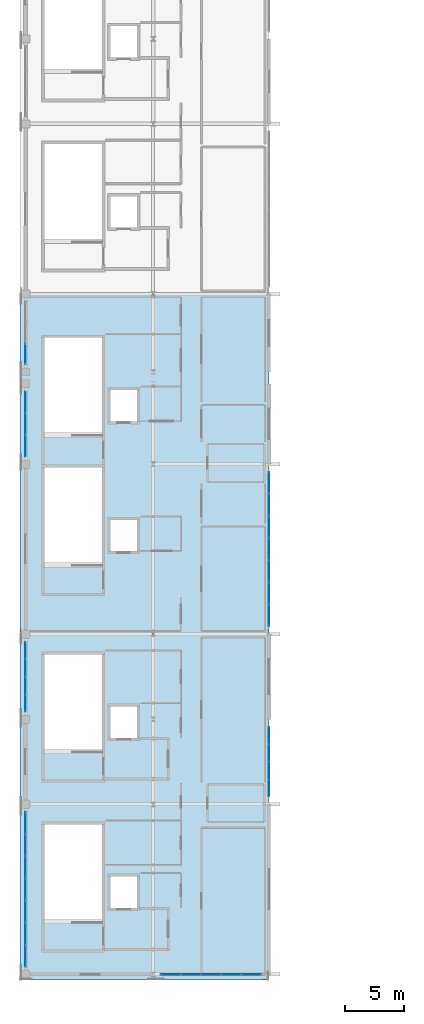
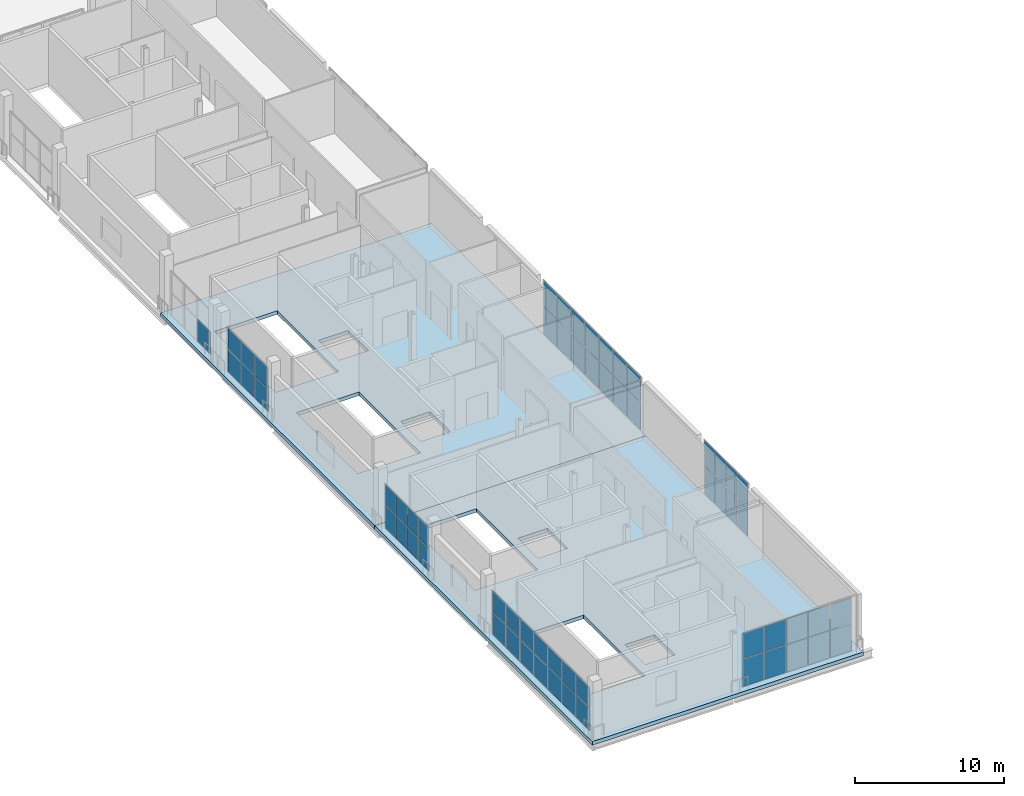
# One storey, part 9 of 19: 61 plates, 2 slabs, 7 elements without a shape of their own.
"""IFC4 building model written with IfcOpenShell, lengths in metres."""

from ifc_helpers import new_model, si_unit, direction, frame, origin, origin_2d, place, context, subcontext, project, spatial, polyline, rectangle, outline, extrude, material, layer, layer_set, type_object, element, aggregate, save


model = new_model("IFC4")

# Units and contexts
model_context = context("Model", 3, precision=1e-05, world=origin(), true_north=direction((0.0, 1.0)))
body_context = subcontext(model_context, "Body", "Model", "MODEL_VIEW")
ifc_project = project(units=[si_unit("LENGTHUNIT", "METRE"), si_unit("AREAUNIT", "SQUARE_METRE"), si_unit("VOLUMEUNIT", "CUBIC_METRE"), si_unit("PLANEANGLEUNIT", "RADIAN"), si_unit("MASSUNIT", "GRAM", prefix="KILO")], contexts=[model_context])

# Site, building, storey
site_placement = place(None, origin())
site = spatial("IfcSite", under=ifc_project, at=site_placement, CompositionType="ELEMENT")
building_placement = place(site_placement, origin())
building = spatial("IfcBuilding", under=site, at=building_placement, Name="Koshinbarg Plaza Stadium", CompositionType="ELEMENT")
storey_placement = place(building_placement, frame((0.0, 0.0, 29.39990234375)))
storey = spatial("IfcBuildingStorey", under=building, at=storey_placement, Name="L06", CompositionType="ELEMENT", Elevation=29.39990234375)

# Curtain wall, plates
ifc_material_1 = material(Name="Thermally broken anodised aluminium and low-E double glazing", Category="aluminium")
curtain_wall_type_1 = type_object("IfcCurtainWallType", Name="CW-SYS-09", PredefinedType="NOTDEFINED", material=ifc_material_1)
curtain_wall_1_placement = place(storey_placement, origin())
curtain_wall_1 = element("IfcCurtainWall", 1, at=curtain_wall_1_placement, inside=storey, type_object=curtain_wall_type_1, Name="L06 unitised curtain wall CW-L06-152", PredefinedType="NOTDEFINED")
ifc_material_2 = material(Name="Solar-control low-E double glazing unit", Category="glass")
ifc_layer_1 = layer(ifc_material_2, 0.028076171875)
ifc_layer_set_1 = layer_set([ifc_layer_1], Name="Solar-control low-E double glazing unit")
plate_type_1 = type_object("IfcPlateType", Name="CW-PNL-28", PredefinedType="CURTAIN_PANEL", material=ifc_layer_set_1)
plate_1_placement = place(storey_placement, frame((24.60009765625, 48.47998046875, 0.06005859375), z_axis=(0.0, 0.0, 1.0), x_axis=(0.0, 1.0, 0.0)))
plate_1 = element("IfcPlate", 2, at=plate_1_placement, type_object=plate_type_1, Name="CW09 panel 1.1", PredefinedType="CURTAIN_PANEL", context=body_context, shape_type="SweptSolid", body=[
    extrude(rectangle(XDim=1.39990234375, YDim=0.028076171875, at=origin_2d()), origin(), (0.0, 0.0, 1.0), 1.823486328125),
])
plate_2_placement = place(storey_placement, frame((24.60009765625, 48.47998046875, 1.94384765625), z_axis=(0.0, 0.0, 1.0), x_axis=(0.0, 1.0, 0.0)))
plate_2 = element("IfcPlate", 3, at=plate_2_placement, type_object=plate_type_1, Name="CW09 panel 1.2", PredefinedType="CURTAIN_PANEL", context=body_context, shape_type="SweptSolid", body=[
    extrude(rectangle(XDim=1.39990234375, YDim=0.028076171875, at=origin_2d()), origin(), (0.0, 0.0, 1.0), 1.676513671875),
])
plate_3_placement = place(storey_placement, frame((24.60009765625, 49.955078125, 0.06005859375), z_axis=(0.0, 0.0, 1.0), x_axis=(0.0, 1.0, 0.0)))
plate_3 = element("IfcPlate", 4, at=plate_3_placement, type_object=plate_type_1, Name="CW09 panel 2.1", PredefinedType="CURTAIN_PANEL", context=body_context, shape_type="SweptSolid", body=[
    extrude(rectangle(XDim=1.429931640625, YDim=0.028076171875, at=origin_2d()), origin(), (0.0, 0.0, 1.0), 1.823486328125),
])
plate_4_placement = place(storey_placement, frame((24.60009765625, 49.955078125, 1.94384765625), z_axis=(0.0, 0.0, 1.0), x_axis=(0.0, 1.0, 0.0)))
plate_4 = element("IfcPlate", 5, at=plate_4_placement, type_object=plate_type_1, Name="CW09 panel 2.2", PredefinedType="CURTAIN_PANEL", context=body_context, shape_type="SweptSolid", body=[
    extrude(rectangle(XDim=1.429931640625, YDim=0.028076171875, at=origin_2d()), origin(), (0.0, 0.0, 1.0), 1.676513671875),
])
plate_5_placement = place(storey_placement, frame((24.60009765625, 51.445068359375, 0.06005859375), z_axis=(0.0, 0.0, 1.0), x_axis=(0.0, 1.0, 0.0)))
plate_5 = element("IfcPlate", 6, at=plate_5_placement, type_object=plate_type_1, Name="CW09 panel 3.1", PredefinedType="CURTAIN_PANEL", context=body_context, shape_type="SweptSolid", body=[
    extrude(rectangle(XDim=1.429931640625, YDim=0.028076171875, at=origin_2d()), origin(), (0.0, 0.0, 1.0), 1.823486328125),
])
plate_6_placement = place(storey_placement, frame((24.60009765625, 51.445068359375, 1.94384765625), z_axis=(0.0, 0.0, 1.0), x_axis=(0.0, 1.0, 0.0)))
plate_6 = element("IfcPlate", 7, at=plate_6_placement, type_object=plate_type_1, Name="CW09 panel 3.2", PredefinedType="CURTAIN_PANEL", context=body_context, shape_type="SweptSolid", body=[
    extrude(rectangle(XDim=1.429931640625, YDim=0.028076171875, at=origin_2d()), origin(), (0.0, 0.0, 1.0), 1.676513671875),
])
plate_7_placement = place(storey_placement, frame((24.60009765625, 52.919921875, 0.06005859375), z_axis=(0.0, 0.0, 1.0), x_axis=(0.0, 1.0, 0.0)))
plate_7 = element("IfcPlate", 8, at=plate_7_placement, type_object=plate_type_1, Name="CW09 panel 4.1", PredefinedType="CURTAIN_PANEL", context=body_context, shape_type="SweptSolid", body=[
    extrude(rectangle(XDim=1.39990234375, YDim=0.028076171875, at=origin_2d()), origin(), (0.0, 0.0, 1.0), 1.823486328125),
])
plate_8_placement = place(storey_placement, frame((24.60009765625, 52.919921875, 1.94384765625), z_axis=(0.0, 0.0, 1.0), x_axis=(0.0, 1.0, 0.0)))
plate_8 = element("IfcPlate", 9, at=plate_8_placement, type_object=plate_type_1, Name="CW09 panel 4.2", PredefinedType="CURTAIN_PANEL", context=body_context, shape_type="SweptSolid", body=[
    extrude(rectangle(XDim=1.39990234375, YDim=0.028076171875, at=origin_2d()), origin(), (0.0, 0.0, 1.0), 1.676513671875),
])
aggregate(curtain_wall_1, [plate_1, plate_2, plate_3, plate_4, plate_5, plate_6, plate_7, plate_8])

# Curtain wall, plate
curtain_wall_type_2 = type_object("IfcCurtainWallType", Name="CW-SYS-11", PredefinedType="NOTDEFINED", material=ifc_material_1)
curtain_wall_2_placement = place(storey_placement, origin())
curtain_wall_2 = element("IfcCurtainWall", 10, at=curtain_wall_2_placement, inside=storey, type_object=curtain_wall_type_2, Name="L06 unitised curtain wall CW-L06-154", PredefinedType="NOTDEFINED")
plate_9_placement = place(storey_placement, frame((24.60009765625, 78.0283203125, 0.06005859375), z_axis=(0.0, 0.0, 1.0), x_axis=(0.0, 1.0, 0.0)))
plate_9 = element("IfcPlate", 11, at=plate_9_placement, type_object=plate_type_1, Name="CW11 panel 1.1", PredefinedType="CURTAIN_PANEL", context=body_context, shape_type="SweptSolid", body=[
    extrude(rectangle(XDim=1.69677734375, YDim=0.028076171875, at=origin_2d()), origin(), (0.0, 0.0, 1.0), 1.823486328125),
])
aggregate(curtain_wall_2, [plate_9])

# Curtain wall, plates
curtain_wall_type_3 = type_object("IfcCurtainWallType", Name="CW-SYS-01", PredefinedType="NOTDEFINED", material=ifc_material_1)
curtain_wall_3_placement = place(storey_placement, origin())
curtain_wall_3 = element("IfcCurtainWall", 12, at=curtain_wall_3_placement, inside=storey, type_object=curtain_wall_type_3, Name="L06 unitised curtain wall CW-L06-160", PredefinedType="NOTDEFINED")
plate_10_placement = place(storey_placement, frame((45.199951171875, 45.719970703125, 0.06005859375), z_axis=(0.0, 0.0, 1.0), x_axis=(0.0, -1.0, 0.0)))
plate_10 = element("IfcPlate", 13, at=plate_10_placement, type_object=plate_type_1, Name="CW01 panel 1.1", PredefinedType="CURTAIN_PANEL", context=body_context, shape_type="SweptSolid", body=[
    extrude(rectangle(XDim=1.39990234375, YDim=0.028076171875, at=origin_2d()), origin(), (0.0, 0.0, 1.0), 2.239501953125),
])
plate_11_placement = place(storey_placement, frame((45.199951171875, 45.719970703125, 2.35986328125), z_axis=(0.0, 0.0, 1.0), x_axis=(0.0, -1.0, 0.0)))
plate_11 = element("IfcPlate", 14, at=plate_11_placement, type_object=plate_type_1, Name="CW01 panel 1.2", PredefinedType="CURTAIN_PANEL", context=body_context, shape_type="SweptSolid", body=[
    extrude(rectangle(XDim=1.39990234375, YDim=0.028076171875, at=origin_2d()), origin(), (0.0, 0.0, 1.0), 2.060302734375),
])
plate_12_placement = place(storey_placement, frame((45.199951171875, 44.2451171875, 0.06005859375), z_axis=(0.0, 0.0, 1.0), x_axis=(0.0, -1.0, 0.0)))
plate_12 = element("IfcPlate", 15, at=plate_12_placement, type_object=plate_type_1, Name="CW01 panel 2.1", PredefinedType="CURTAIN_PANEL", context=body_context, shape_type="SweptSolid", body=[
    extrude(rectangle(XDim=1.429931640625, YDim=0.028076171875, at=origin_2d()), origin(), (0.0, 0.0, 1.0), 2.239501953125),
])
plate_13_placement = place(storey_placement, frame((45.199951171875, 44.2451171875, 2.35986328125), z_axis=(0.0, 0.0, 1.0), x_axis=(0.0, -1.0, 0.0)))
plate_13 = element("IfcPlate", 16, at=plate_13_placement, type_object=plate_type_1, Name="CW01 panel 2.2", PredefinedType="CURTAIN_PANEL", context=body_context, shape_type="SweptSolid", body=[
    extrude(rectangle(XDim=1.429931640625, YDim=0.028076171875, at=origin_2d()), origin(), (0.0, 0.0, 1.0), 2.060302734375),
])
plate_14_placement = place(storey_placement, frame((45.199951171875, 42.7548828125, 0.06005859375), z_axis=(0.0, 0.0, 1.0), x_axis=(0.0, -1.0, 0.0)))
plate_14 = element("IfcPlate", 17, at=plate_14_placement, type_object=plate_type_1, Name="CW01 panel 3.1", PredefinedType="CURTAIN_PANEL", context=body_context, shape_type="SweptSolid", body=[
    extrude(rectangle(XDim=1.429931640625, YDim=0.028076171875, at=origin_2d()), origin(), (0.0, 0.0, 1.0), 2.239501953125),
])
plate_15_placement = place(storey_placement, frame((45.199951171875, 42.7548828125, 2.35986328125), z_axis=(0.0, 0.0, 1.0), x_axis=(0.0, -1.0, 0.0)))
plate_15 = element("IfcPlate", 18, at=plate_15_placement, type_object=plate_type_1, Name="CW01 panel 3.2", PredefinedType="CURTAIN_PANEL", context=body_context, shape_type="SweptSolid", body=[
    extrude(rectangle(XDim=1.429931640625, YDim=0.028076171875, at=origin_2d()), origin(), (0.0, 0.0, 1.0), 2.060302734375),
])
plate_16_placement = place(storey_placement, frame((45.199951171875, 41.280029296875, 0.06005859375), z_axis=(0.0, 0.0, 1.0), x_axis=(0.0, -1.0, 0.0)))
plate_16 = element("IfcPlate", 19, at=plate_16_placement, type_object=plate_type_1, Name="CW01 panel 4.1", PredefinedType="CURTAIN_PANEL", context=body_context, shape_type="SweptSolid", body=[
    extrude(rectangle(XDim=1.39990234375, YDim=0.028076171875, at=origin_2d()), origin(), (0.0, 0.0, 1.0), 2.239501953125),
])
plate_17_placement = place(storey_placement, frame((45.199951171875, 41.280029296875, 2.35986328125), z_axis=(0.0, 0.0, 1.0), x_axis=(0.0, -1.0, 0.0)))
plate_17 = element("IfcPlate", 20, at=plate_17_placement, type_object=plate_type_1, Name="CW01 panel 4.2", PredefinedType="CURTAIN_PANEL", context=body_context, shape_type="SweptSolid", body=[
    extrude(rectangle(XDim=1.39990234375, YDim=0.028076171875, at=origin_2d()), origin(), (0.0, 0.0, 1.0), 2.060302734375),
])
aggregate(curtain_wall_3, [plate_10, plate_11, plate_12, plate_13, plate_14, plate_15, plate_16, plate_17])

curtain_wall_type_4 = type_object("IfcCurtainWallType", Name="CW-SYS-08", PredefinedType="NOTDEFINED", material=ifc_material_1)
curtain_wall_4_placement = place(storey_placement, origin())
curtain_wall_4 = element("IfcCurtainWall", 21, at=curtain_wall_4_placement, inside=storey, type_object=curtain_wall_type_4, Name="L06 unitised curtain wall CW-L06-151", PredefinedType="NOTDEFINED")
ifc_material_3 = material(Name="Acoustic solar-control double glazing unit", Category="glass")
ifc_layer_2 = layer(ifc_material_3, 0.031982421875)
ifc_layer_set_2 = layer_set([ifc_layer_2], Name="Acoustic solar-control double glazing unit")
plate_type_2 = type_object("IfcPlateType", Name="CW-PNL-32", PredefinedType="CURTAIN_PANEL", material=ifc_layer_set_2)
plate_18_placement = place(storey_placement, frame((24.60009765625, 27.074951171875, 0.06005859375), z_axis=(0.0, 0.0, 1.0), x_axis=(0.0, 1.0, 0.0)))
plate_18 = element("IfcPlate", 22, at=plate_18_placement, type_object=plate_type_2, Name="CW08 panel 1.1", PredefinedType="CURTAIN_PANEL", context=body_context, shape_type="SweptSolid", body=[
    extrude(rectangle(XDim=1.7900390625, YDim=0.031982421875, at=origin_2d()), origin(), (0.0, 0.0, 1.0), 1.823486328125),
])
plate_19_placement = place(storey_placement, frame((24.60009765625, 27.074951171875, 1.94384765625), z_axis=(0.0, 0.0, 1.0), x_axis=(0.0, 1.0, 0.0)))
plate_19 = element("IfcPlate", 23, at=plate_19_placement, type_object=plate_type_2, Name="CW08 panel 1.2", PredefinedType="CURTAIN_PANEL", context=body_context, shape_type="SweptSolid", body=[
    extrude(rectangle(XDim=1.7900390625, YDim=0.031982421875, at=origin_2d()), origin(), (0.0, 0.0, 1.0), 1.676513671875),
])
plate_20_placement = place(storey_placement, frame((24.60009765625, 28.93994140625, 0.06005859375), z_axis=(0.0, 0.0, 1.0), x_axis=(0.0, 1.0, 0.0)))
plate_20 = element("IfcPlate", 24, at=plate_20_placement, type_object=plate_type_2, Name="CW08 panel 2.1", PredefinedType="CURTAIN_PANEL", context=body_context, shape_type="SweptSolid", body=[
    extrude(rectangle(XDim=1.820068359375, YDim=0.031982421875, at=origin_2d()), origin(), (0.0, 0.0, 1.0), 1.823486328125),
])
plate_21_placement = place(storey_placement, frame((24.60009765625, 28.93994140625, 1.94384765625), z_axis=(0.0, 0.0, 1.0), x_axis=(0.0, 1.0, 0.0)))
plate_21 = element("IfcPlate", 25, at=plate_21_placement, type_object=plate_type_2, Name="CW08 panel 2.2", PredefinedType="CURTAIN_PANEL", context=body_context, shape_type="SweptSolid", body=[
    extrude(rectangle(XDim=1.820068359375, YDim=0.031982421875, at=origin_2d()), origin(), (0.0, 0.0, 1.0), 1.676513671875),
])
plate_22_placement = place(storey_placement, frame((24.60009765625, 30.820068359375, 0.06005859375), z_axis=(0.0, 0.0, 1.0), x_axis=(0.0, 1.0, 0.0)))
plate_22 = element("IfcPlate", 26, at=plate_22_placement, type_object=plate_type_2, Name="CW08 panel 3.1", PredefinedType="CURTAIN_PANEL", context=body_context, shape_type="SweptSolid", body=[
    extrude(rectangle(XDim=1.820068359375, YDim=0.031982421875, at=origin_2d()), origin(), (0.0, 0.0, 1.0), 1.823486328125),
])
plate_23_placement = place(storey_placement, frame((24.60009765625, 30.820068359375, 1.94384765625), z_axis=(0.0, 0.0, 1.0), x_axis=(0.0, 1.0, 0.0)))
plate_23 = element("IfcPlate", 27, at=plate_23_placement, type_object=plate_type_2, Name="CW08 panel 3.2", PredefinedType="CURTAIN_PANEL", context=body_context, shape_type="SweptSolid", body=[
    extrude(rectangle(XDim=1.820068359375, YDim=0.031982421875, at=origin_2d()), origin(), (0.0, 0.0, 1.0), 1.676513671875),
])
plate_24_placement = place(storey_placement, frame((24.60009765625, 32.699951171875, 0.06005859375), z_axis=(0.0, 0.0, 1.0), x_axis=(0.0, 1.0, 0.0)))
plate_24 = element("IfcPlate", 28, at=plate_24_placement, type_object=plate_type_2, Name="CW08 panel 4.1", PredefinedType="CURTAIN_PANEL", context=body_context, shape_type="SweptSolid", body=[
    extrude(rectangle(XDim=1.820068359375, YDim=0.031982421875, at=origin_2d()), origin(), (0.0, 0.0, 1.0), 1.823486328125),
])
plate_25_placement = place(storey_placement, frame((24.60009765625, 32.699951171875, 1.94384765625), z_axis=(0.0, 0.0, 1.0), x_axis=(0.0, 1.0, 0.0)))
plate_25 = element("IfcPlate", 29, at=plate_25_placement, type_object=plate_type_2, Name="CW08 panel 4.2", PredefinedType="CURTAIN_PANEL", context=body_context, shape_type="SweptSolid", body=[
    extrude(rectangle(XDim=1.820068359375, YDim=0.031982421875, at=origin_2d()), origin(), (0.0, 0.0, 1.0), 1.676513671875),
])
plate_26_placement = place(storey_placement, frame((24.60009765625, 34.580078125, 0.06005859375), z_axis=(0.0, 0.0, 1.0), x_axis=(0.0, 1.0, 0.0)))
plate_26 = element("IfcPlate", 30, at=plate_26_placement, type_object=plate_type_2, Name="CW08 panel 5.1", PredefinedType="CURTAIN_PANEL", context=body_context, shape_type="SweptSolid", body=[
    extrude(rectangle(XDim=1.820068359375, YDim=0.031982421875, at=origin_2d()), origin(), (0.0, 0.0, 1.0), 1.823486328125),
])
plate_27_placement = place(storey_placement, frame((24.60009765625, 34.580078125, 1.94384765625), z_axis=(0.0, 0.0, 1.0), x_axis=(0.0, 1.0, 0.0)))
plate_27 = element("IfcPlate", 31, at=plate_27_placement, type_object=plate_type_2, Name="CW08 panel 5.2", PredefinedType="CURTAIN_PANEL", context=body_context, shape_type="SweptSolid", body=[
    extrude(rectangle(XDim=1.820068359375, YDim=0.031982421875, at=origin_2d()), origin(), (0.0, 0.0, 1.0), 1.676513671875),
])
plate_28_placement = place(storey_placement, frame((24.60009765625, 36.4599609375, 0.06005859375), z_axis=(0.0, 0.0, 1.0), x_axis=(0.0, 1.0, 0.0)))
plate_28 = element("IfcPlate", 32, at=plate_28_placement, type_object=plate_type_2, Name="CW08 panel 6.1", PredefinedType="CURTAIN_PANEL", context=body_context, shape_type="SweptSolid", body=[
    extrude(rectangle(XDim=1.820068359375, YDim=0.031982421875, at=origin_2d()), origin(), (0.0, 0.0, 1.0), 1.823486328125),
])
plate_29_placement = place(storey_placement, frame((24.60009765625, 36.4599609375, 1.94384765625), z_axis=(0.0, 0.0, 1.0), x_axis=(0.0, 1.0, 0.0)))
plate_29 = element("IfcPlate", 33, at=plate_29_placement, type_object=plate_type_2, Name="CW08 panel 6.2", PredefinedType="CURTAIN_PANEL", context=body_context, shape_type="SweptSolid", body=[
    extrude(rectangle(XDim=1.820068359375, YDim=0.031982421875, at=origin_2d()), origin(), (0.0, 0.0, 1.0), 1.676513671875),
])
plate_30_placement = place(storey_placement, frame((24.60009765625, 38.324951171875, 0.06005859375), z_axis=(0.0, 0.0, 1.0), x_axis=(0.0, 1.0, 0.0)))
plate_30 = element("IfcPlate", 34, at=plate_30_placement, type_object=plate_type_2, Name="CW08 panel 7.1", PredefinedType="CURTAIN_PANEL", context=body_context, shape_type="SweptSolid", body=[
    extrude(rectangle(XDim=1.7900390625, YDim=0.031982421875, at=origin_2d()), origin(), (0.0, 0.0, 1.0), 1.823486328125),
])
plate_31_placement = place(storey_placement, frame((24.60009765625, 38.324951171875, 1.94384765625), z_axis=(0.0, 0.0, 1.0), x_axis=(0.0, 1.0, 0.0)))
plate_31 = element("IfcPlate", 35, at=plate_31_placement, type_object=plate_type_2, Name="CW08 panel 7.2", PredefinedType="CURTAIN_PANEL", context=body_context, shape_type="SweptSolid", body=[
    extrude(rectangle(XDim=1.7900390625, YDim=0.031982421875, at=origin_2d()), origin(), (0.0, 0.0, 1.0), 1.676513671875),
])
aggregate(curtain_wall_4, [plate_18, plate_19, plate_20, plate_21, plate_22, plate_23, plate_24, plate_25, plate_26, plate_27, plate_28, plate_29, plate_30, plate_31])

curtain_wall_type_5 = type_object("IfcCurtainWallType", Name="CW-SYS-10", PredefinedType="NOTDEFINED", material=ifc_material_1)
curtain_wall_5_placement = place(storey_placement, origin())
curtain_wall_5 = element("IfcCurtainWall", 36, at=curtain_wall_5_placement, inside=storey, type_object=curtain_wall_type_5, Name="L06 unitised curtain wall CW-L06-153", PredefinedType="NOTDEFINED")
plate_32_placement = place(storey_placement, frame((24.60009765625, 70.26171875, 0.06005859375), z_axis=(0.0, 0.0, 1.0), x_axis=(0.0, 1.0, 0.0)))
plate_32 = element("IfcPlate", 37, at=plate_32_placement, type_object=plate_type_2, Name="CW10 panel 1.1", PredefinedType="CURTAIN_PANEL", context=body_context, shape_type="SweptSolid", body=[
    extrude(rectangle(XDim=1.763427734375, YDim=0.031982421875, at=origin_2d()), origin(), (0.0, 0.0, 1.0), 1.823486328125),
])
plate_33_placement = place(storey_placement, frame((24.60009765625, 70.26171875, 1.94384765625), z_axis=(0.0, 0.0, 1.0), x_axis=(0.0, 1.0, 0.0)))
plate_33 = element("IfcPlate", 38, at=plate_33_placement, type_object=plate_type_2, Name="CW10 panel 1.2", PredefinedType="CURTAIN_PANEL", context=body_context, shape_type="SweptSolid", body=[
    extrude(rectangle(XDim=1.763427734375, YDim=0.031982421875, at=origin_2d()), origin(), (0.0, 0.0, 1.0), 1.676513671875),
])
plate_34_placement = place(storey_placement, frame((24.60009765625, 72.10009765625, 0.06005859375), z_axis=(0.0, 0.0, 1.0), x_axis=(0.0, 1.0, 0.0)))
plate_34 = element("IfcPlate", 39, at=plate_34_placement, type_object=plate_type_2, Name="CW10 panel 2.1", PredefinedType="CURTAIN_PANEL", context=body_context, shape_type="SweptSolid", body=[
    extrude(rectangle(XDim=1.793212890625, YDim=0.031982421875, at=origin_2d()), origin(), (0.0, 0.0, 1.0), 1.823486328125),
])
plate_35_placement = place(storey_placement, frame((24.60009765625, 72.10009765625, 1.94384765625), z_axis=(0.0, 0.0, 1.0), x_axis=(0.0, 1.0, 0.0)))
plate_35 = element("IfcPlate", 40, at=plate_35_placement, type_object=plate_type_2, Name="CW10 panel 2.2", PredefinedType="CURTAIN_PANEL", context=body_context, shape_type="SweptSolid", body=[
    extrude(rectangle(XDim=1.793212890625, YDim=0.031982421875, at=origin_2d()), origin(), (0.0, 0.0, 1.0), 1.676513671875),
])
plate_36_placement = place(storey_placement, frame((24.60009765625, 73.938232421875, 0.06005859375), z_axis=(0.0, 0.0, 1.0), x_axis=(0.0, 1.0, 0.0)))
plate_36 = element("IfcPlate", 41, at=plate_36_placement, type_object=plate_type_2, Name="CW10 panel 3.1", PredefinedType="CURTAIN_PANEL", context=body_context, shape_type="SweptSolid", body=[
    extrude(rectangle(XDim=1.763427734375, YDim=0.031982421875, at=origin_2d()), origin(), (0.0, 0.0, 1.0), 1.823486328125),
])
plate_37_placement = place(storey_placement, frame((24.60009765625, 73.938232421875, 1.94384765625), z_axis=(0.0, 0.0, 1.0), x_axis=(0.0, 1.0, 0.0)))
plate_37 = element("IfcPlate", 42, at=plate_37_placement, type_object=plate_type_2, Name="CW10 panel 3.2", PredefinedType="CURTAIN_PANEL", context=body_context, shape_type="SweptSolid", body=[
    extrude(rectangle(XDim=1.763427734375, YDim=0.031982421875, at=origin_2d()), origin(), (0.0, 0.0, 1.0), 1.676513671875),
])
aggregate(curtain_wall_5, [plate_32, plate_33, plate_34, plate_35, plate_36, plate_37])

curtain_wall_type_6 = type_object("IfcCurtainWallType", Name="CW-SYS-16", PredefinedType="NOTDEFINED", material=ifc_material_1)
curtain_wall_6_placement = place(storey_placement, origin())
curtain_wall_6 = element("IfcCurtainWall", 43, at=curtain_wall_6_placement, inside=storey, type_object=curtain_wall_type_6, Name="L06 unitised curtain wall CW-L06-159", PredefinedType="NOTDEFINED")
plate_38_placement = place(storey_placement, frame((45.199951171875, 67.125, 0.06005859375), z_axis=(0.0, 0.0, 1.0), x_axis=(0.0, -1.0, 0.0)))
plate_38 = element("IfcPlate", 44, at=plate_38_placement, type_object=plate_type_2, Name="CW16 panel 1.1", PredefinedType="CURTAIN_PANEL", context=body_context, shape_type="SweptSolid", body=[
    extrude(rectangle(XDim=1.7900390625, YDim=0.031982421875, at=origin_2d()), origin(), (0.0, 0.0, 1.0), 2.239501953125),
])
plate_39_placement = place(storey_placement, frame((45.199951171875, 67.125, 2.35986328125), z_axis=(0.0, 0.0, 1.0), x_axis=(0.0, -1.0, 0.0)))
plate_39 = element("IfcPlate", 45, at=plate_39_placement, type_object=plate_type_2, Name="CW16 panel 1.2", PredefinedType="CURTAIN_PANEL", context=body_context, shape_type="SweptSolid", body=[
    extrude(rectangle(XDim=1.7900390625, YDim=0.031982421875, at=origin_2d()), origin(), (0.0, 0.0, 1.0), 2.060302734375),
])
plate_40_placement = place(storey_placement, frame((45.199951171875, 65.260009765625, 0.06005859375), z_axis=(0.0, 0.0, 1.0), x_axis=(0.0, -1.0, 0.0)))
plate_40 = element("IfcPlate", 46, at=plate_40_placement, type_object=plate_type_2, Name="CW16 panel 2.1", PredefinedType="CURTAIN_PANEL", context=body_context, shape_type="SweptSolid", body=[
    extrude(rectangle(XDim=1.820068359375, YDim=0.031982421875, at=origin_2d()), origin(), (0.0, 0.0, 1.0), 2.239501953125),
])
plate_41_placement = place(storey_placement, frame((45.199951171875, 65.260009765625, 2.35986328125), z_axis=(0.0, 0.0, 1.0), x_axis=(0.0, -1.0, 0.0)))
plate_41 = element("IfcPlate", 47, at=plate_41_placement, type_object=plate_type_2, Name="CW16 panel 2.2", PredefinedType="CURTAIN_PANEL", context=body_context, shape_type="SweptSolid", body=[
    extrude(rectangle(XDim=1.820068359375, YDim=0.031982421875, at=origin_2d()), origin(), (0.0, 0.0, 1.0), 2.060302734375),
])
plate_42_placement = place(storey_placement, frame((45.199951171875, 63.3798828125, 0.06005859375), z_axis=(0.0, 0.0, 1.0), x_axis=(0.0, -1.0, 0.0)))
plate_42 = element("IfcPlate", 48, at=plate_42_placement, type_object=plate_type_2, Name="CW16 panel 3.1", PredefinedType="CURTAIN_PANEL", context=body_context, shape_type="SweptSolid", body=[
    extrude(rectangle(XDim=1.820068359375, YDim=0.031982421875, at=origin_2d()), origin(), (0.0, 0.0, 1.0), 2.239501953125),
])
plate_43_placement = place(storey_placement, frame((45.199951171875, 63.3798828125, 2.35986328125), z_axis=(0.0, 0.0, 1.0), x_axis=(0.0, -1.0, 0.0)))
plate_43 = element("IfcPlate", 49, at=plate_43_placement, type_object=plate_type_2, Name="CW16 panel 3.2", PredefinedType="CURTAIN_PANEL", context=body_context, shape_type="SweptSolid", body=[
    extrude(rectangle(XDim=1.820068359375, YDim=0.031982421875, at=origin_2d()), origin(), (0.0, 0.0, 1.0), 2.060302734375),
])
plate_44_placement = place(storey_placement, frame((45.199951171875, 61.5, 0.06005859375), z_axis=(0.0, 0.0, 1.0), x_axis=(0.0, -1.0, 0.0)))
plate_44 = element("IfcPlate", 50, at=plate_44_placement, type_object=plate_type_2, Name="CW16 panel 4.1", PredefinedType="CURTAIN_PANEL", context=body_context, shape_type="SweptSolid", body=[
    extrude(rectangle(XDim=1.820068359375, YDim=0.031982421875, at=origin_2d()), origin(), (0.0, 0.0, 1.0), 2.239501953125),
])
plate_45_placement = place(storey_placement, frame((45.199951171875, 61.5, 2.35986328125), z_axis=(0.0, 0.0, 1.0), x_axis=(0.0, -1.0, 0.0)))
plate_45 = element("IfcPlate", 51, at=plate_45_placement, type_object=plate_type_2, Name="CW16 panel 4.2", PredefinedType="CURTAIN_PANEL", context=body_context, shape_type="SweptSolid", body=[
    extrude(rectangle(XDim=1.820068359375, YDim=0.031982421875, at=origin_2d()), origin(), (0.0, 0.0, 1.0), 2.060302734375),
])
plate_46_placement = place(storey_placement, frame((45.199951171875, 59.6201171875, 0.06005859375), z_axis=(0.0, 0.0, 1.0), x_axis=(0.0, -1.0, 0.0)))
plate_46 = element("IfcPlate", 52, at=plate_46_placement, type_object=plate_type_2, Name="CW16 panel 5.1", PredefinedType="CURTAIN_PANEL", context=body_context, shape_type="SweptSolid", body=[
    extrude(rectangle(XDim=1.820068359375, YDim=0.031982421875, at=origin_2d()), origin(), (0.0, 0.0, 1.0), 2.239501953125),
])
plate_47_placement = place(storey_placement, frame((45.199951171875, 59.6201171875, 2.35986328125), z_axis=(0.0, 0.0, 1.0), x_axis=(0.0, -1.0, 0.0)))
plate_47 = element("IfcPlate", 53, at=plate_47_placement, type_object=plate_type_2, Name="CW16 panel 5.2", PredefinedType="CURTAIN_PANEL", context=body_context, shape_type="SweptSolid", body=[
    extrude(rectangle(XDim=1.820068359375, YDim=0.031982421875, at=origin_2d()), origin(), (0.0, 0.0, 1.0), 2.060302734375),
])
plate_48_placement = place(storey_placement, frame((45.199951171875, 57.739990234375, 0.06005859375), z_axis=(0.0, 0.0, 1.0), x_axis=(0.0, -1.0, 0.0)))
plate_48 = element("IfcPlate", 54, at=plate_48_placement, type_object=plate_type_2, Name="CW16 panel 6.1", PredefinedType="CURTAIN_PANEL", context=body_context, shape_type="SweptSolid", body=[
    extrude(rectangle(XDim=1.820068359375, YDim=0.031982421875, at=origin_2d()), origin(), (0.0, 0.0, 1.0), 2.239501953125),
])
plate_49_placement = place(storey_placement, frame((45.199951171875, 57.739990234375, 2.35986328125), z_axis=(0.0, 0.0, 1.0), x_axis=(0.0, -1.0, 0.0)))
plate_49 = element("IfcPlate", 55, at=plate_49_placement, type_object=plate_type_2, Name="CW16 panel 6.2", PredefinedType="CURTAIN_PANEL", context=body_context, shape_type="SweptSolid", body=[
    extrude(rectangle(XDim=1.820068359375, YDim=0.031982421875, at=origin_2d()), origin(), (0.0, 0.0, 1.0), 2.060302734375),
])
plate_50_placement = place(storey_placement, frame((45.199951171875, 55.875, 0.06005859375), z_axis=(0.0, 0.0, 1.0), x_axis=(0.0, -1.0, 0.0)))
plate_50 = element("IfcPlate", 56, at=plate_50_placement, type_object=plate_type_2, Name="CW16 panel 7.1", PredefinedType="CURTAIN_PANEL", context=body_context, shape_type="SweptSolid", body=[
    extrude(rectangle(XDim=1.7900390625, YDim=0.031982421875, at=origin_2d()), origin(), (0.0, 0.0, 1.0), 2.239501953125),
])
plate_51_placement = place(storey_placement, frame((45.199951171875, 55.875, 2.35986328125), z_axis=(0.0, 0.0, 1.0), x_axis=(0.0, -1.0, 0.0)))
plate_51 = element("IfcPlate", 57, at=plate_51_placement, type_object=plate_type_2, Name="CW16 panel 7.2", PredefinedType="CURTAIN_PANEL", context=body_context, shape_type="SweptSolid", body=[
    extrude(rectangle(XDim=1.7900390625, YDim=0.031982421875, at=origin_2d()), origin(), (0.0, 0.0, 1.0), 2.060302734375),
])
aggregate(curtain_wall_6, [plate_38, plate_39, plate_40, plate_41, plate_42, plate_43, plate_44, plate_45, plate_46, plate_47, plate_48, plate_49, plate_50, plate_51])

curtain_wall_type_7 = type_object("IfcCurtainWallType", Name="CW-SYS-02", PredefinedType="NOTDEFINED", material=ifc_material_1)
curtain_wall_7_placement = place(storey_placement, origin())
curtain_wall_7 = element("IfcCurtainWall", 58, at=curtain_wall_7_placement, inside=storey, type_object=curtain_wall_type_7, Name="L06 unitised curtain wall CW-L06-161", PredefinedType="NOTDEFINED")
plate_52_placement = place(storey_placement, frame((43.708984375, 25.5, 0.06005859375), z_axis=(0.0, 0.0, 1.0), x_axis=(-1.0, 0.0, 0.0)))
plate_52 = element("IfcPlate", 59, at=plate_52_placement, type_object=plate_type_2, Name="CW02 panel 1.1", PredefinedType="CURTAIN_PANEL", context=body_context, shape_type="SweptSolid", body=[
    extrude(rectangle(XDim=1.6220703125, YDim=0.031982421875, at=origin_2d()), origin(), (0.0, 0.0, 1.0), 2.239501953125),
])
plate_53_placement = place(storey_placement, frame((43.708984375, 25.5, 2.35986328125), z_axis=(0.0, 0.0, 1.0), x_axis=(-1.0, 0.0, 0.0)))
plate_53 = element("IfcPlate", 60, at=plate_53_placement, type_object=plate_type_2, Name="CW02 panel 1.2", PredefinedType="CURTAIN_PANEL", context=body_context, shape_type="SweptSolid", body=[
    extrude(rectangle(XDim=1.6220703125, YDim=0.031982421875, at=origin_2d()), origin(), (0.0, 0.0, 1.0), 2.060302734375),
])
plate_54_placement = place(storey_placement, frame((42.011962890625, 25.5, 0.06005859375), z_axis=(0.0, 0.0, 1.0), x_axis=(-1.0, 0.0, 0.0)))
plate_54 = element("IfcPlate", 61, at=plate_54_placement, type_object=plate_type_2, Name="CW02 panel 2.1", PredefinedType="CURTAIN_PANEL", context=body_context, shape_type="SweptSolid", body=[
    extrude(rectangle(XDim=1.652099609375, YDim=0.031982421875, at=origin_2d()), origin(), (0.0, 0.0, 1.0), 2.239501953125),
])
plate_55_placement = place(storey_placement, frame((42.011962890625, 25.5, 2.35986328125), z_axis=(0.0, 0.0, 1.0), x_axis=(-1.0, 0.0, 0.0)))
plate_55 = element("IfcPlate", 62, at=plate_55_placement, type_object=plate_type_2, Name="CW02 panel 2.2", PredefinedType="CURTAIN_PANEL", context=body_context, shape_type="SweptSolid", body=[
    extrude(rectangle(XDim=1.652099609375, YDim=0.031982421875, at=origin_2d()), origin(), (0.0, 0.0, 1.0), 2.060302734375),
])
plate_56_placement = place(storey_placement, frame((40.300048828125, 25.5, 0.06005859375), z_axis=(0.0, 0.0, 1.0), x_axis=(-1.0, 0.0, 0.0)))
plate_56 = element("IfcPlate", 63, at=plate_56_placement, type_object=plate_type_2, Name="CW02 panel 3.1", PredefinedType="CURTAIN_PANEL", context=body_context, shape_type="SweptSolid", body=[
    extrude(rectangle(XDim=1.652099609375, YDim=0.031982421875, at=origin_2d()), origin(), (0.0, 0.0, 1.0), 2.239501953125),
])
plate_57_placement = place(storey_placement, frame((40.300048828125, 25.5, 2.35986328125), z_axis=(0.0, 0.0, 1.0), x_axis=(-1.0, 0.0, 0.0)))
plate_57 = element("IfcPlate", 64, at=plate_57_placement, type_object=plate_type_2, Name="CW02 panel 3.2", PredefinedType="CURTAIN_PANEL", context=body_context, shape_type="SweptSolid", body=[
    extrude(rectangle(XDim=1.652099609375, YDim=0.031982421875, at=origin_2d()), origin(), (0.0, 0.0, 1.0), 2.060302734375),
])
plate_58_placement = place(storey_placement, frame((38.587890625, 25.5, 0.06005859375), z_axis=(0.0, 0.0, 1.0), x_axis=(-1.0, 0.0, 0.0)))
plate_58 = element("IfcPlate", 65, at=plate_58_placement, type_object=plate_type_2, Name="CW02 panel 4.1", PredefinedType="CURTAIN_PANEL", context=body_context, shape_type="SweptSolid", body=[
    extrude(rectangle(XDim=1.652099609375, YDim=0.031982421875, at=origin_2d()), origin(), (0.0, 0.0, 1.0), 2.239501953125),
])
plate_59_placement = place(storey_placement, frame((38.587890625, 25.5, 2.35986328125), z_axis=(0.0, 0.0, 1.0), x_axis=(-1.0, 0.0, 0.0)))
plate_59 = element("IfcPlate", 66, at=plate_59_placement, type_object=plate_type_2, Name="CW02 panel 4.2", PredefinedType="CURTAIN_PANEL", context=body_context, shape_type="SweptSolid", body=[
    extrude(rectangle(XDim=1.652099609375, YDim=0.031982421875, at=origin_2d()), origin(), (0.0, 0.0, 1.0), 2.060302734375),
])
plate_60_placement = place(storey_placement, frame((36.89111328125, 25.5, 0.06005859375), z_axis=(0.0, 0.0, 1.0), x_axis=(-1.0, 0.0, 0.0)))
plate_60 = element("IfcPlate", 67, at=plate_60_placement, type_object=plate_type_2, Name="CW02 panel 5.1", PredefinedType="CURTAIN_PANEL", context=body_context, shape_type="SweptSolid", body=[
    extrude(rectangle(XDim=1.6220703125, YDim=0.031982421875, at=origin_2d()), origin(), (0.0, 0.0, 1.0), 2.239501953125),
])
plate_61_placement = place(storey_placement, frame((36.89111328125, 25.5, 2.35986328125), z_axis=(0.0, 0.0, 1.0), x_axis=(-1.0, 0.0, 0.0)))
plate_61 = element("IfcPlate", 68, at=plate_61_placement, type_object=plate_type_2, Name="CW02 panel 5.2", PredefinedType="CURTAIN_PANEL", context=body_context, shape_type="SweptSolid", body=[
    extrude(rectangle(XDim=1.6220703125, YDim=0.031982421875, at=origin_2d()), origin(), (0.0, 0.0, 1.0), 2.060302734375),
])
aggregate(curtain_wall_7, [plate_52, plate_53, plate_54, plate_55, plate_56, plate_57, plate_58, plate_59, plate_60, plate_61])

# Slabs
ifc_material_4 = material(Name="Concrete C35/45", Category="concrete")
ifc_layer_3 = layer(ifc_material_4, 0.300048828125)
ifc_layer_set_3 = layer_set([ifc_layer_3], Name="Concrete C35/45")
slab_type = type_object("IfcSlabType", Name="SL-FLR-300", PredefinedType="FLOOR", material=ifc_layer_set_3)
slab_1_placement = place(storey_placement, frame((0.0, 0.0, -0.2998046875)))
element("IfcSlab", 69, at=slab_1_placement, inside=storey, type_object=slab_type, Name="L06 V1 structural slab 1", PredefinedType="FLOOR", context=body_context, shape_type="SweptSolid", body=[
    extrude(outline(polyline([(24.14501953125, 25.044921875), (45.199951171875, 25.044921875), (45.199951171875, 54.300048828125), (24.14501953125, 54.300048828125), (24.14501953125, 25.044921875)]), holes=[polyline([(31.070068359375, 29.9599609375), (31.070068359375, 38.199951171875), (26.199951171875, 38.199951171875), (26.199951171875, 29.9599609375), (31.070068359375, 29.9599609375)]), polyline([(31.75, 31.10009765625), (34.050048828125, 31.10009765625), (34.050048828125, 33.800048828125), (31.75, 33.800048828125), (31.75, 31.10009765625)]), polyline([(31.070068359375, 44.360107421875), (31.070068359375, 52.60009765625), (26.199951171875, 52.60009765625), (26.199951171875, 44.360107421875), (31.070068359375, 44.360107421875)]), polyline([(31.75, 45.5), (34.050048828125, 45.5), (34.050048828125, 48.199951171875), (31.75, 48.199951171875), (31.75, 45.5)])]), origin(), (0.0, 0.0, 1.0), 0.2998046875),
])
slab_2_placement = place(storey_placement, frame((0.0, 0.0, -0.2998046875)))
element("IfcSlab", 70, at=slab_2_placement, inside=storey, type_object=slab_type, Name="L06 V1 structural slab 2", PredefinedType="FLOOR", context=body_context, shape_type="SweptSolid", body=[
    extrude(outline(polyline([(24.14501953125, 54.300048828125), (45.199951171875, 54.300048828125), (45.199951171875, 83.10009765625), (24.14501953125, 83.10009765625), (24.14501953125, 54.300048828125)]), holes=[polyline([(31.070068359375, 60.159912109375), (31.070068359375, 68.39990234375), (26.199951171875, 68.39990234375), (26.199951171875, 60.159912109375), (31.070068359375, 60.159912109375)]), polyline([(31.75, 61.300048828125), (34.050048828125, 61.300048828125), (34.050048828125, 64.0), (31.75, 64.0), (31.75, 61.300048828125)]), polyline([(31.070068359375, 71.159912109375), (31.070068359375, 79.39990234375), (26.199951171875, 79.39990234375), (26.199951171875, 71.159912109375), (31.070068359375, 71.159912109375)]), polyline([(31.75, 72.300048828125), (34.050048828125, 72.300048828125), (34.050048828125, 75.0), (31.75, 75.0), (31.75, 72.300048828125)])]), origin(), (0.0, 0.0, 1.0), 0.2998046875),
])

save(model, "model.ifc")
